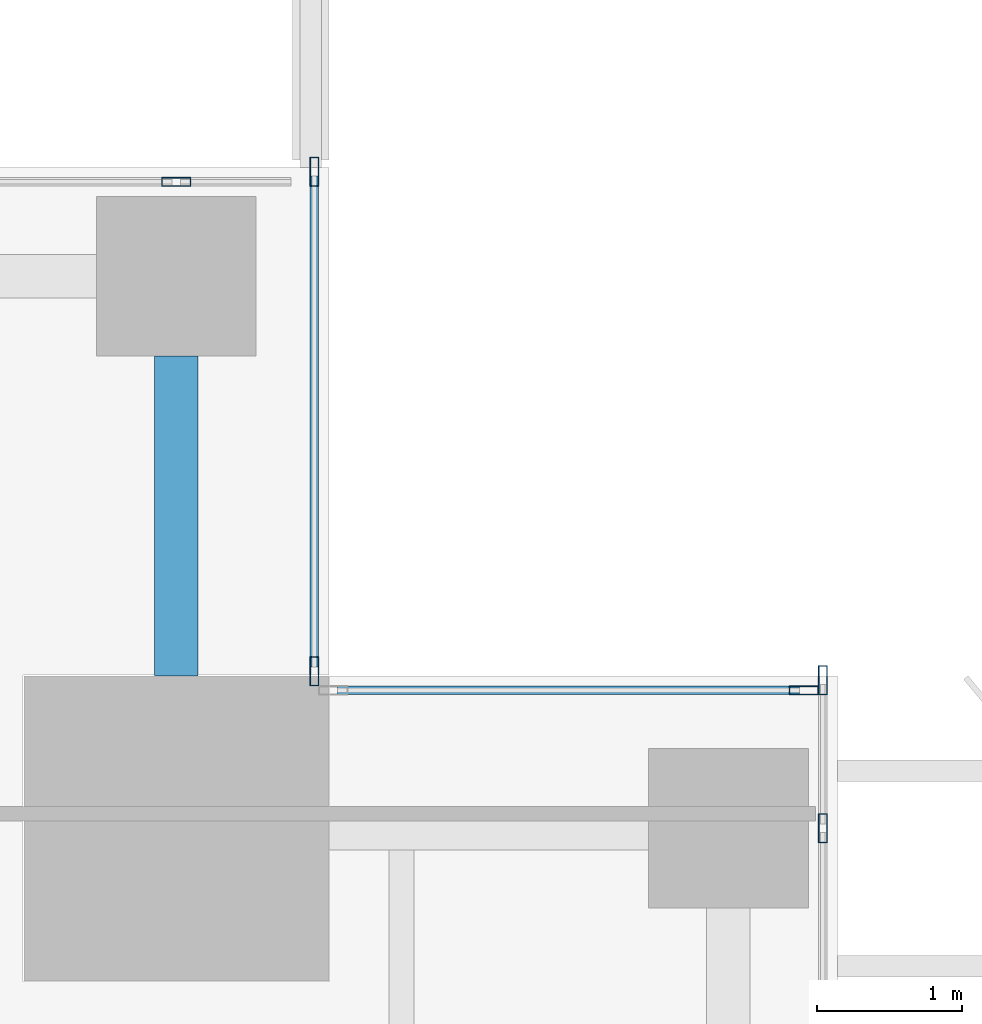
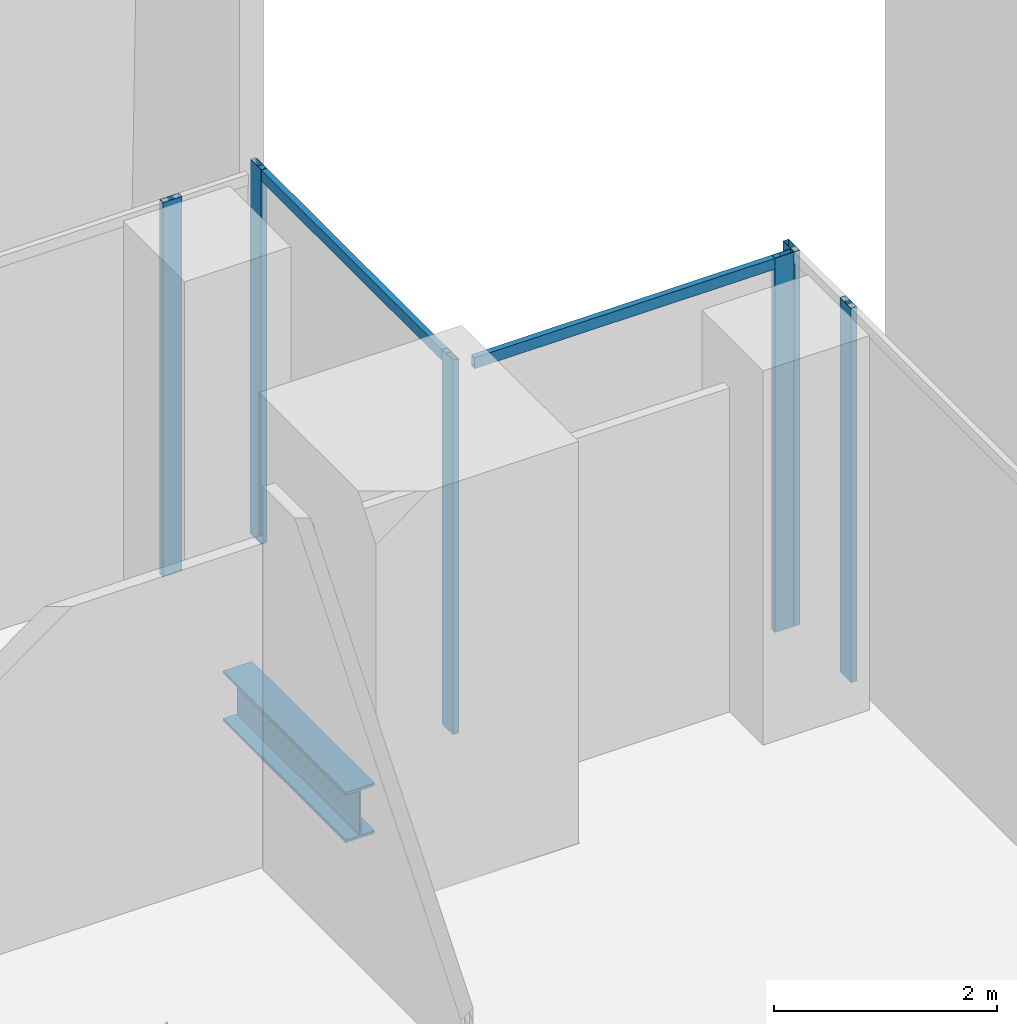
# One storey, part 19 of 35: 8 members, 1 beam, 4 elements without a shape of their own.
"""IFC4 building model written with IfcOpenShell, lengths in metres."""

from ifc_helpers import new_model, si_unit, direction, frame, origin, origin_2d, place, context, subcontext, project, spatial, hollow_rectangle, i_section, extrude, source, transform, mapped, material, material_profile, profile_set, type_object, element, aggregate, save


model = new_model("IFC4")

# Units and contexts
model_context = context("Model", 3, precision=1e-05, world=origin(), true_north=direction((0.0, 1.0)))
body_context = subcontext(model_context, "Body", "Model", "MODEL_VIEW")
ifc_project = project(units=[si_unit("LENGTHUNIT", "METRE"), si_unit("AREAUNIT", "SQUARE_METRE"), si_unit("VOLUMEUNIT", "CUBIC_METRE"), si_unit("PLANEANGLEUNIT", "RADIAN"), si_unit("MASSUNIT", "GRAM", prefix="KILO")], contexts=[model_context])

# Site, building, storey
site_placement = place(None, origin())
site = spatial("IfcSite", under=ifc_project, at=site_placement, CompositionType="ELEMENT")
building_placement = place(site_placement, origin())
building = spatial("IfcBuilding", under=site, at=building_placement, Name="Khomas Fold Tower", CompositionType="ELEMENT")
storey_placement = place(building_placement, frame((0.0, 0.0, 127.89990234375)))
storey = spatial("IfcBuildingStorey", under=building, at=storey_placement, Name="L27", CompositionType="ELEMENT", Elevation=127.89990234375)

# Beam
ifc_material_1 = material(Name="Steel S355", Category="steel")
ifc_material_profile_1 = material_profile(ifc_material_1, i_section(OverallWidth=0.300048828125, OverallDepth=0.550048828125, WebThickness=0.014892578125, FlangeThickness=0.029052734375, at=origin_2d()), Name="HE 550 B")
ifc_profile_set_1 = profile_set([ifc_material_profile_1], Name="Steel S355")
beam_type = type_object("IfcBeamType", Name="HE 550 B spandrel SB2", PredefinedType="SPANDREL", material=ifc_profile_set_1)
shared_shape_1 = source(origin(), body_context, "Body", "SweptSolid", [
    extrude(i_section(OverallWidth=0.300048828125, OverallDepth=0.550048828125, WebThickness=0.014892578125, FlangeThickness=0.029052734375, at=origin_2d()), origin(), (0.0, 0.0, 1.0), 2.199951171875),
])
beam_placement = place(storey_placement, frame((47.949951171875, 49.0, -0.574951171875), z_axis=(0.0, 1.0, 0.0), x_axis=(-1.0, 0.0, 0.0)))
element("IfcBeam", 1, at=beam_placement, inside=storey, type_object=beam_type, Name="SB2", PredefinedType="SPANDREL", context=body_context, shape_type="MappedRepresentation", body=[
    mapped(shared_shape_1, transform((0.0, 0.0, 0.0))),
])

# Curtain wall, members
ifc_material_2 = material(Name="Aluminium framed double glazing", Category="aluminium")
curtain_wall_type = type_object("IfcCurtainWallType", Name="SK-Unitised clear-glass wall, growing floors CW1", PredefinedType="NOTDEFINED", material=ifc_material_2)
curtain_wall_1_placement = place(storey_placement, origin())
curtain_wall_1 = element("IfcCurtainWall", 2, at=curtain_wall_1_placement, inside=storey, type_object=curtain_wall_type, Name="CW1 run L27 03-1", PredefinedType="NOTDEFINED")
ifc_material_3 = material(Name="Aluminium", Category="aluminium")
ifc_material_profile_2 = material_profile(ifc_material_3, hollow_rectangle(XDim=0.06005859375, YDim=0.199951171875, WallThickness=0.00390625, at=origin_2d()), Name="SK-Unitised clear-glass wall, growing floors mullion CW1-M")
ifc_profile_set_2 = profile_set([ifc_material_profile_2], Name="Aluminium")
member_type_1 = type_object("IfcMemberType", Name="SK-Unitised clear-glass wall, growing floors mullion CW1-M", PredefinedType="MULLION", material=ifc_profile_set_2)
shared_shape_2 = source(origin(), body_context, "Body", "SweptSolid", [
    extrude(hollow_rectangle(XDim=0.06005859375, YDim=0.199951171875, WallThickness=0.00390625, at=origin_2d()), origin(), (0.0, 0.0, 1.0), 4.10009765625),
])
member_1_placement = place(storey_placement, frame((52.39990234375, 47.949951171875, 0.0), z_axis=(0.0, 0.0, 1.0), x_axis=(-1.0, 0.0, 0.0)))
member_1 = element("IfcMember", 3, at=member_1_placement, type_object=member_type_1, Name="CW1 mullion 3", PredefinedType="MULLION", context=body_context, shape_type="MappedRepresentation", body=[
    mapped(shared_shape_2, transform((0.0, 0.0, 0.0))),
])
member_2_placement = place(storey_placement, frame((52.39990234375, 48.969970703125, 0.0), z_axis=(0.0, 0.0, 1.0), x_axis=(-1.0, 0.0, 0.0)))
member_2 = element("IfcMember", 4, at=member_2_placement, type_object=member_type_1, Name="CW1 mullion 4", PredefinedType="MULLION", context=body_context, shape_type="MappedRepresentation", body=[
    mapped(shared_shape_2, transform((0.0, 0.0, 0.0))),
])
aggregate(curtain_wall_1, [member_1, member_2])

# Curtain wall, member
curtain_wall_2_placement = place(storey_placement, origin())
curtain_wall_2 = element("IfcCurtainWall", 5, at=curtain_wall_2_placement, inside=storey, type_object=curtain_wall_type, Name="CW1 corner return L27 04", PredefinedType="NOTDEFINED")
member_3_placement = place(storey_placement, frame((52.27001953125, 48.89990234375, 0.0), z_axis=(0.0, 0.0, 1.0), x_axis=(0.0, -1.0, 0.0)))
member_3 = element("IfcMember", 6, at=member_3_placement, type_object=member_type_1, Name="CW1 mullion 1", PredefinedType="MULLION", context=body_context, shape_type="MappedRepresentation", body=[
    mapped(shared_shape_2, transform((0.0, 0.0, 0.0))),
])

# Curtain wall, members
curtain_wall_3_placement = place(storey_placement, origin())
curtain_wall_3 = element("IfcCurtainWall", 7, at=curtain_wall_3_placement, inside=storey, type_object=curtain_wall_type, Name="CW1 corner return L27 05", PredefinedType="NOTDEFINED")
member_4_placement = place(storey_placement, frame((48.89990234375, 49.030029296875, 0.0), z_axis=(0.0, 0.0, 1.0), x_axis=(-1.0, 0.0, 0.0)))
member_4 = element("IfcMember", 8, at=member_4_placement, type_object=member_type_1, Name="CW1 mullion 1", PredefinedType="MULLION", context=body_context, shape_type="MappedRepresentation", body=[
    mapped(shared_shape_2, transform((0.0, 0.0, 0.0))),
])
member_5_placement = place(storey_placement, frame((48.89990234375, 52.469970703125, 0.0), z_axis=(0.0, 0.0, 1.0), x_axis=(-1.0, 0.0, 0.0)))
member_5 = element("IfcMember", 9, at=member_5_placement, type_object=member_type_1, Name="CW1 mullion 2", PredefinedType="MULLION", context=body_context, shape_type="MappedRepresentation", body=[
    mapped(shared_shape_2, transform((0.0, 0.0, 0.0))),
])

# Curtain wall, member
curtain_wall_4_placement = place(storey_placement, origin())
curtain_wall_4 = element("IfcCurtainWall", 10, at=curtain_wall_4_placement, inside=storey, type_object=curtain_wall_type, Name="CW1 run L27 06-0", PredefinedType="NOTDEFINED")
member_6_placement = place(storey_placement, frame((47.949951171875, 52.39990234375, 0.0), z_axis=(0.0, 0.0, 1.0), x_axis=(0.0, -1.0, 0.0)))
member_6 = element("IfcMember", 11, at=member_6_placement, type_object=member_type_1, Name="CW1 mullion 2", PredefinedType="MULLION", context=body_context, shape_type="MappedRepresentation", body=[
    mapped(shared_shape_2, transform((0.0, 0.0, 0.0))),
])
aggregate(curtain_wall_4, [member_6])

# Member
ifc_material_4 = material(Name="Aluminium", Category="aluminium")
ifc_material_profile_3 = material_profile(ifc_material_4, hollow_rectangle(XDim=0.06005859375, YDim=0.1201171875, WallThickness=0.00390625, at=origin_2d()), Name="SK-Unitised clear-glass wall, growing floors transom CW1-T")
ifc_profile_set_3 = profile_set([ifc_material_profile_3], Name="Aluminium")
member_type_2 = type_object("IfcMemberType", Name="SK-Unitised clear-glass wall, growing floors transom CW1-T", PredefinedType="USERDEFINED", material=ifc_profile_set_3)
shared_shape_3 = source(origin(), body_context, "Body", "SweptSolid", [
    extrude(hollow_rectangle(XDim=0.06005859375, YDim=0.1201171875, WallThickness=0.00390625, at=origin_2d()), origin(), (0.0, 0.0, 1.0), 3.179931640625),
])
member_7_placement = place(storey_placement, frame((52.239990234375, 48.89990234375, 4.0400390625), z_axis=(-1.0, 0.0, 0.0), x_axis=(0.0, -1.0, 0.0)))
member_7 = element("IfcMember", 12, at=member_7_placement, type_object=member_type_2, Name="CW1 transom 1", ObjectType="TRANSOM", PredefinedType="USERDEFINED", context=body_context, shape_type="MappedRepresentation", body=[
    mapped(shared_shape_3, transform((0.0, 0.0, 0.0))),
])

aggregate(curtain_wall_2, [member_3, member_7])

shared_shape_4 = source(origin(), body_context, "Body", "SweptSolid", [
    extrude(hollow_rectangle(XDim=0.06005859375, YDim=0.1201171875, WallThickness=0.00390625, at=origin_2d()), origin(), (0.0, 0.0, 1.0), 3.3798828125),
])
member_8_placement = place(storey_placement, frame((48.89990234375, 49.06005859375, 4.0400390625), z_axis=(0.0, 1.0, 0.0), x_axis=(-1.0, 0.0, 0.0)))
member_8 = element("IfcMember", 13, at=member_8_placement, type_object=member_type_2, Name="CW1 transom 1", ObjectType="TRANSOM", PredefinedType="USERDEFINED", context=body_context, shape_type="MappedRepresentation", body=[
    mapped(shared_shape_4, transform((0.0, 0.0, 0.0))),
])

aggregate(curtain_wall_3, [member_4, member_5, member_8])

save(model, "model.ifc")
